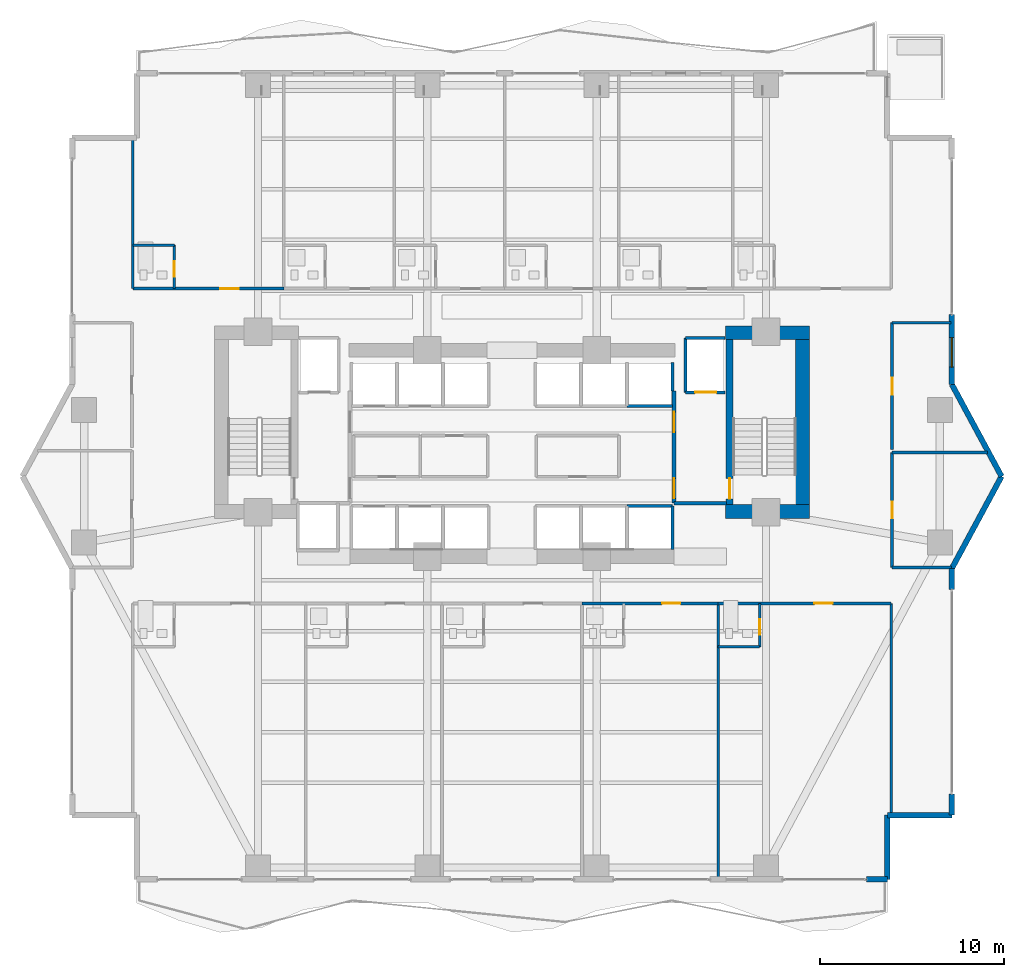
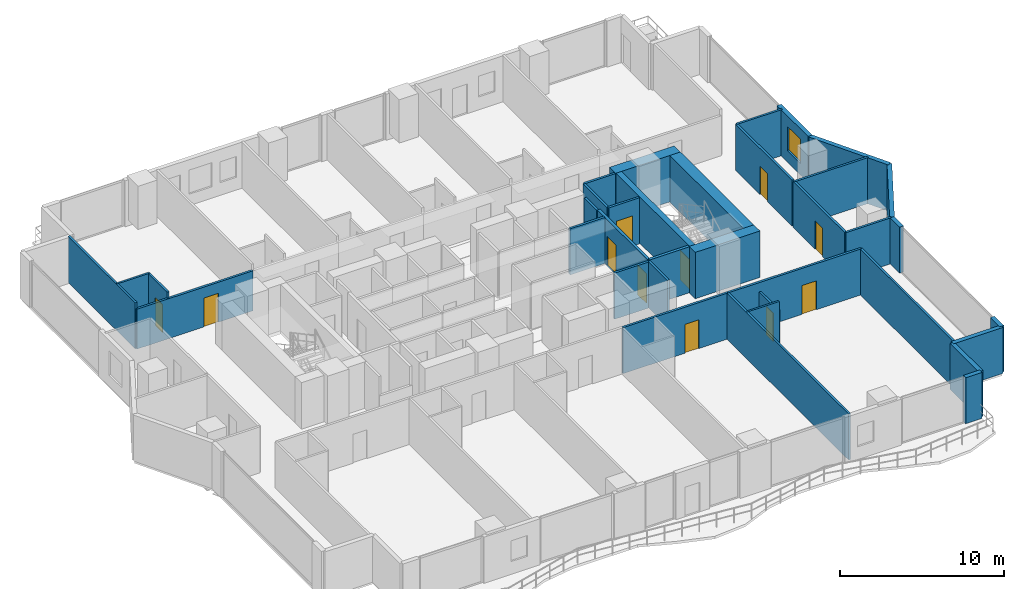
# One storey, part 23 of 29: 36 walls, 11 doors, 1 window, 12 openings.
"""IFC4 building model written with IfcOpenShell, lengths in metres."""

from ifc_helpers import new_model, si_unit, direction, frame, frame_2d, origin, place, context, subcontext, project, spatial, rectangle, extrude, material, layer, layer_set, type_object, element, fill, save


model = new_model("IFC4")

# Units and contexts
model_context = context("Model", 3, precision=1e-05, world=origin(), true_north=direction((0.0, 1.0)))
body_context = subcontext(model_context, "Body", "Model", "MODEL_VIEW")
ifc_project = project(units=[si_unit("LENGTHUNIT", "METRE"), si_unit("AREAUNIT", "SQUARE_METRE"), si_unit("VOLUMEUNIT", "CUBIC_METRE"), si_unit("PLANEANGLEUNIT", "RADIAN"), si_unit("MASSUNIT", "GRAM", prefix="KILO")], contexts=[model_context])

# Site, building, storey
site_placement = place(None, origin())
site = spatial("IfcSite", under=ifc_project, at=site_placement, CompositionType="ELEMENT")
building_placement = place(site_placement, origin())
building = spatial("IfcBuilding", under=site, at=building_placement, Name="Zuhayl Quay Hotel", CompositionType="ELEMENT")
storey_placement = place(building_placement, frame((0.0, 0.0, 95.64990234375)))
storey = spatial("IfcBuildingStorey", under=building, at=storey_placement, Name="L23", CompositionType="ELEMENT", Elevation=95.64990234375)

# Walls
ifc_material_1 = material(Name="Concrete C60/75", Category="concrete")
ifc_layer_1 = layer(ifc_material_1, 0.75, Name="Concrete C60/75", Category="concrete")
ifc_layer_set_1 = layer_set([ifc_layer_1], Name="Concrete C60/75")
wall_type_1 = type_object("IfcWallType", Name="WL_CORE_750", PredefinedType="SHEAR", material=ifc_layer_set_1)
wall_1_placement = place(storey_placement, frame((11.60009765625, 14.304931640625, 0.0), z_axis=(0.0, 0.0, 1.0), x_axis=(1.0, 0.0, 0.0)))
element("IfcWall", 1, at=wall_1_placement, inside=storey, type_object=wall_type_1, Name="L23 Core Shear Wall CW_NE", PredefinedType="SHEAR", context=body_context, shape_type="SweptSolid", body=[
    extrude(rectangle(XDim=4.559814453125, YDim=0.75, at=frame_2d((2.27978515625, 0.0))), origin(), (0.0, 0.0, 1.0), 3.460205078125),
])
wall_2_placement = place(storey_placement, frame((15.784912109375, 4.969970703125, 0.0), z_axis=(0.0, 0.0, 1.0), x_axis=(0.0, 1.0, 0.0)))
element("IfcWall", 2, at=wall_2_placement, inside=storey, type_object=wall_type_1, Name="L23 Core Shear Wall CW_E", PredefinedType="SHEAR", context=body_context, shape_type="SweptSolid", body=[
    extrude(rectangle(XDim=8.9599609375, YDim=0.75, at=frame_2d((4.47998046875, 0.0))), origin(), (0.0, 0.0, 1.0), 3.460205078125),
])
wall_3_placement = place(storey_placement, frame((11.60009765625, 4.594970703125, 0.0), z_axis=(0.0, 0.0, 1.0), x_axis=(1.0, 0.0, 0.0)))
element("IfcWall", 3, at=wall_3_placement, inside=storey, type_object=wall_type_1, Name="L23 Core Shear Wall CW_SE", PredefinedType="SHEAR", context=body_context, shape_type="SweptSolid", body=[
    extrude(rectangle(XDim=4.559814453125, YDim=0.75, at=frame_2d((2.27978515625, 0.0))), origin(), (0.0, 0.0, 1.0), 3.460205078125),
])

# Wall, opening, window
ifc_material_2 = material(Name="Precast concrete C45/55", Category="concrete")
ifc_layer_2 = layer(ifc_material_2, 0.300048828125, Name="Precast concrete C45/55", Category="concrete")
ifc_layer_set_2 = layer_set([ifc_layer_2], Name="Precast concrete C45/55")
wall_type_2 = type_object("IfcWallType", Name="WL_EXT_300", PredefinedType="STANDARD", material=ifc_layer_set_2)
wall_4_placement = place(storey_placement, frame((23.89990234375, 15.300048828125, 0.0), z_axis=(0.0, 0.0, 1.0), x_axis=(0.0, -1.0, 0.0)))
wall_4 = element("IfcWall", 4, at=wall_4_placement, inside=storey, type_object=wall_type_2, Name="L23 Exterior Precast Wall ENV_L23_E11_EW2", PredefinedType="STANDARD", context=body_context, shape_type="SweptSolid", body=[
    extrude(rectangle(XDim=3.800048828125, YDim=0.300048828125, at=frame_2d((1.89990234375, 0.0))), origin(), (0.0, 0.0, 1.0), 3.43017578125),
])
opening_1_placement = place(wall_4_placement, frame((1.264892578125, 0.0, 0.85009765625)))
opening_1 = element("IfcOpeningElement", 5, at=opening_1_placement, cuts=wall_4, Name="Opening W01", PredefinedType="OPENING", context=body_context, shape_type="SweptSolid", body=[
    extrude(rectangle(XDim=1.60009765625, YDim=1.800048828125, at=frame_2d((0.800048828125, 0.89990234375))), frame((0.0, 0.159912109375, 0.0), z_axis=(0.0, -1.0, 0.0), x_axis=(1.0, 0.0, 0.0)), (0.0, 0.0, 1.0), 0.320068359375),
])
ifc_material_3 = material(Name="Dark Ceramic-Fritted Solar Glass", Category="glass")
window_type = type_object("IfcWindowType", Name="WN_OPERABLE_1600", PartitioningType="DOUBLE_PANEL_VERTICAL", PredefinedType="WINDOW", material=ifc_material_3)
window_placement = place(opening_1_placement, origin())
window = element("IfcWindow", 6, at=window_placement, inside=storey, type_object=window_type, Name="L23 Operable Facade Window 2-1", OverallHeight=1.800048828125, OverallWidth=1.60009765625, PartitioningType="SINGLE_PANEL", PredefinedType="WINDOW", context=body_context, shape_type="SweptSolid", body=[
    extrude(rectangle(XDim=1.60009765625, YDim=1.800048828125, at=frame_2d((0.800048828125, 0.89990234375))), frame((0.0, 0.030029296875, 0.0), z_axis=(0.0, -1.0, 0.0), x_axis=(1.0, 0.0, 0.0)), (0.0, 0.0, 1.0), 0.06005859375),
])
fill(opening_1, window)

# Walls
for number, where, z_axis, x_axis, name in (
    (7, (23.89990234375, 11.5, 0.0), (0.0, 0.0, 1.0), (0.475175525499, -0.879891027325, 0.0), "L23 Exterior Precast Wall ENV_L23_EW12"),
    (8, (26.60009765625, 6.5, 0.0), (0.0, 0.0, 1.0), (-0.475175525499, -0.879891027325, 0.0), "L23 Exterior Precast Wall ENV_L23_EW13"),
):
    element("IfcWall", number, at=place(storey_placement, frame(where, z_axis=z_axis, x_axis=x_axis)), inside=storey, type_object=wall_type_2, Name=name, PredefinedType="STANDARD", context=body_context, shape_type="SweptSolid", body=[
        extrude(rectangle(XDim=5.6826171875, YDim=0.300048828125, at=frame_2d((2.84130859375, 0.0))), origin(), (0.0, 0.0, 1.0), 3.43017578125),
    ])
for number, where, z_axis, x_axis, name in (
    (9, (23.89990234375, 1.5, 0.0), (0.0, 0.0, 1.0), (0.0, -1.0, 0.0), "L23 Exterior Precast Wall ENV_L23_E14_EW1"),
    (10, (23.89990234375, -10.75, 0.0), (0.0, 0.0, 1.0), (0.0, -1.0, 0.0), "L23 Exterior Precast Wall ENV_L23_E14_EW2"),
):
    element("IfcWall", number, at=place(storey_placement, frame(where, z_axis=z_axis, x_axis=x_axis)), inside=storey, type_object=wall_type_2, Name=name, PredefinedType="STANDARD", context=body_context, shape_type="SweptSolid", body=[
        extrude(rectangle(XDim=1.14990234375, YDim=0.300048828125, at=frame_2d((0.574951171875, 0.0))), origin(), (0.0, 0.0, 1.0), 3.43017578125),
    ])
for number, where, z_axis, x_axis, name in (
    (11, (23.89990234375, -11.89990234375, 0.0), (0.0, 0.0, 1.0), (-1.0, 0.0, 0.0), "L23 Exterior Precast Wall ENV_L23_EW15"),
    (12, (20.39990234375, -11.89990234375, 0.0), (0.0, 0.0, 1.0), (0.0, -1.0, 0.0), "L23 Exterior Precast Wall ENV_L23_EW16"),
):
    element("IfcWall", number, at=place(storey_placement, frame(where, z_axis=z_axis, x_axis=x_axis)), inside=storey, type_object=wall_type_2, Name=name, PredefinedType="STANDARD", context=body_context, shape_type="SweptSolid", body=[
        extrude(rectangle(XDim=3.5, YDim=0.300048828125, at=frame_2d((1.75, 0.0))), origin(), (0.0, 0.0, 1.0), 3.43017578125),
    ])
wall_5_placement = place(storey_placement, frame((20.39990234375, -15.39990234375, 0.0), z_axis=(0.0, 0.0, 1.0), x_axis=(-1.0, 0.0, 0.0)))
element("IfcWall", 13, at=wall_5_placement, inside=storey, type_object=wall_type_2, Name="L23 Exterior Precast Wall ENV_L23_S_EW1", PredefinedType="STANDARD", context=body_context, shape_type="SweptSolid", body=[
    extrude(rectangle(XDim=1.14990234375, YDim=0.300048828125, at=frame_2d((0.574951171875, 0.0))), origin(), (0.0, 0.0, 1.0), 3.43017578125),
])
ifc_material_4 = material(Name="Acoustic Gypsum Partition STC-58")
ifc_layer_3 = layer(ifc_material_4, 0.14990234375, Name="Acoustic Gypsum Partition STC-58")
ifc_layer_set_3 = layer_set([ifc_layer_3], Name="Acoustic Gypsum Partition STC-58")
wall_type_3 = type_object("IfcWallType", Name="WL_PART_150", PredefinedType="PARTITIONING", material=ifc_layer_set_3)
wall_6_placement = place(storey_placement, frame((-20.60009765625, 16.699951171875, 0.0), z_axis=(0.0, 0.0, 1.0), x_axis=(0.0, 1.0, 0.0)))
element("IfcWall", 14, at=wall_6_placement, inside=storey, type_object=wall_type_3, Name="L23 Partition IW_L23_NU01_W", PredefinedType="PARTITIONING", context=body_context, shape_type="SweptSolid", body=[
    extrude(rectangle(XDim=8.199951171875, YDim=0.14990234375, at=frame_2d((4.10009765625, 0.0))), origin(), (0.0, 0.0, 1.0), 3.43017578125),
])
wall_7_placement = place(storey_placement, frame((11.199951171875, -15.320068359375, 0.0), z_axis=(0.0, 0.0, 1.0), x_axis=(0.0, 1.0, 0.0)))
element("IfcWall", 15, at=wall_7_placement, inside=storey, type_object=wall_type_3, Name="L23 Partition IW_L23_SU04_E", PredefinedType="PARTITIONING", context=body_context, shape_type="SweptSolid", body=[
    extrude(rectangle(XDim=14.920166015625, YDim=0.14990234375, at=frame_2d((7.4599609375, 0.0))), origin(), (0.0, 0.0, 1.0), 3.43017578125),
])
wall_8_placement = place(storey_placement, frame((20.60009765625, -11.89990234375, 0.0), z_axis=(0.0, 0.0, 1.0), x_axis=(0.0, 1.0, 0.0)))
element("IfcWall", 16, at=wall_8_placement, inside=storey, type_object=wall_type_3, Name="L23 Partition IW_L23_SU05_E", PredefinedType="PARTITIONING", context=body_context, shape_type="SweptSolid", body=[
    extrude(rectangle(XDim=11.5, YDim=0.14990234375, at=frame_2d((5.75, 0.0))), origin(), (0.0, 0.0, 1.0), 3.43017578125),
])
wall_9_placement = place(storey_placement, frame((20.64990234375, 1.550048828125, 0.0), z_axis=(0.0, 0.0, 1.0), x_axis=(1.0, 0.0, 0.0)))
element("IfcWall", 17, at=wall_9_placement, inside=storey, type_object=wall_type_3, Name="L23 Partition IW_L23_HK_MAIN_S", PredefinedType="PARTITIONING", context=body_context, shape_type="SweptSolid", body=[
    extrude(rectangle(XDim=3.217041015625, YDim=0.14990234375, at=frame_2d((1.6083984375, 0.0))), origin(), (0.0, 0.0, 1.0), 3.43017578125),
])
wall_10_placement = place(storey_placement, frame((20.64990234375, 7.800048828125, 0.0), z_axis=(0.0, 0.0, 1.0), x_axis=(1.0, 0.0, 0.0)))
element("IfcWall", 18, at=wall_10_placement, inside=storey, type_object=wall_type_3, Name="L23 Partition IW_L23_HK_MAIN_N", PredefinedType="PARTITIONING", context=body_context, shape_type="SweptSolid", body=[
    extrude(rectangle(XDim=5.18798828125, YDim=0.14990234375, at=frame_2d((2.593994140625, 0.0))), origin(), (0.0, 0.0, 1.0), 3.43017578125),
])
wall_11_placement = place(storey_placement, frame((20.64990234375, 14.85009765625, 0.0), z_axis=(0.0, 0.0, 1.0), x_axis=(1.0, 0.0, 0.0)))
element("IfcWall", 19, at=wall_11_placement, inside=storey, type_object=wall_type_3, Name="L23 Partition IW_L23_EFLK_2_N", PredefinedType="PARTITIONING", context=body_context, shape_type="SweptSolid", body=[
    extrude(rectangle(XDim=3.190185546875, YDim=0.14990234375, at=frame_2d((1.59521484375, 0.0))), origin(), (0.0, 0.0, 1.0), 3.43017578125),
])

# Wall, opening, door
ifc_layer_4 = layer(ifc_material_4, 0.159912109375, Name="Acoustic Gypsum Partition STC-58")
ifc_layer_set_4 = layer_set([ifc_layer_4], Name="Acoustic Gypsum Partition STC-58")
wall_type_4 = type_object("IfcWallType", Name="WL_PART_CORR_160", PredefinedType="PARTITIONING", material=ifc_layer_set_4)
wall_12_placement = place(storey_placement, frame((-20.60009765625, 16.699951171875, 0.0), z_axis=(0.0, 0.0, 1.0), x_axis=(1.0, 0.0, 0.0)))
wall_12 = element("IfcWall", 20, at=wall_12_placement, inside=storey, type_object=wall_type_4, Name="L23 Partition IW_L23_NU01_COR", PredefinedType="PARTITIONING", context=body_context, shape_type="SweptSolid", body=[
    extrude(rectangle(XDim=8.2001953125, YDim=0.159912109375, at=frame_2d((4.10009765625, 0.0))), origin(), (0.0, 0.0, 1.0), 2.97314453125),
])
opening_2_placement = place(wall_12_placement, frame((4.75, 0.0, 0.0)))
opening_2 = element("IfcOpeningElement", 21, at=opening_2_placement, cuts=wall_12, Name="Opening D03L", PredefinedType="OPENING", context=body_context, shape_type="SweptSolid", body=[
    extrude(rectangle(XDim=1.0, YDim=2.14990234375, at=frame_2d((0.5, 1.074951171875))), frame((0.0, 0.08984375, 0.0), z_axis=(0.0, -1.0, 0.0), x_axis=(1.0, 0.0, 0.0)), (0.0, 0.0, 1.0), 0.179931640625),
])
ifc_material_5 = material(Name="Solid Walnut Acoustic Fire Door")
door_type_1 = type_object("IfcDoorType", Name="DR_SUITE_1000", OperationType="NOTDEFINED", PredefinedType="DOOR", material=ifc_material_5)
door_1_placement = place(opening_2_placement, origin())
door_1 = element("IfcDoor", 22, at=door_1_placement, inside=storey, type_object=door_type_1, Name="L23 Executive Suite L23-01 Entrance Door", OperationType="SINGLE_SWING_LEFT", OverallHeight=2.14990234375, OverallWidth=1.0, PredefinedType="DOOR", context=body_context, shape_type="SweptSolid", body=[
    extrude(rectangle(XDim=1.0, YDim=2.14990234375, at=frame_2d((0.5, 1.074951171875))), frame((0.0, 0.02490234375, 0.0), z_axis=(0.0, -1.0, 0.0), x_axis=(1.0, 0.0, 0.0)), (0.0, 0.0, 1.0), 0.050048828125),
])
fill(opening_2, door_1)

wall_13_placement = place(storey_placement, frame((3.800048828125, -0.39990234375, 0.0), z_axis=(0.0, 0.0, 1.0), x_axis=(1.0, 0.0, 0.0)))
wall_13 = element("IfcWall", 23, at=wall_13_placement, inside=storey, type_object=wall_type_4, Name="L23 Partition IW_L23_SU04_COR", PredefinedType="PARTITIONING", context=body_context, shape_type="SweptSolid", body=[
    extrude(rectangle(XDim=7.39990234375, YDim=0.159912109375, at=frame_2d((3.699951171875, 0.0))), origin(), (0.0, 0.0, 1.0), 3.43017578125),
])
opening_3_placement = place(wall_13_placement, frame((4.35009765625, 0.0, 0.0)))
opening_3 = element("IfcOpeningElement", 24, at=opening_3_placement, cuts=wall_13, Name="Opening D03L", PredefinedType="OPENING", context=body_context, shape_type="SweptSolid", body=[
    extrude(rectangle(XDim=1.0, YDim=2.14990234375, at=frame_2d((0.5, 1.074951171875))), frame((0.0, 0.08984375, 0.0), z_axis=(0.0, -1.0, 0.0), x_axis=(1.0, 0.0, 0.0)), (0.0, 0.0, 1.0), 0.179931640625),
])
door_2_placement = place(opening_3_placement, origin())
door_2 = element("IfcDoor", 25, at=door_2_placement, inside=storey, type_object=door_type_1, Name="L23 City-View Junior Suite L23-04 Entrance Door", OperationType="SINGLE_SWING_LEFT", OverallHeight=2.14990234375, OverallWidth=1.0, PredefinedType="DOOR", context=body_context, shape_type="SweptSolid", body=[
    extrude(rectangle(XDim=1.0, YDim=2.14990234375, at=frame_2d((0.5, 1.074951171875))), frame((0.0, 0.02490234375, 0.0), z_axis=(0.0, -1.0, 0.0), x_axis=(1.0, 0.0, 0.0)), (0.0, 0.0, 1.0), 0.050048828125),
])
fill(opening_3, door_2)

wall_14_placement = place(storey_placement, frame((11.199951171875, -0.39990234375, 0.0), z_axis=(0.0, 0.0, 1.0), x_axis=(1.0, 0.0, 0.0)))
wall_14 = element("IfcWall", 26, at=wall_14_placement, inside=storey, type_object=wall_type_4, Name="L23 Partition IW_L23_SU05_COR", PredefinedType="PARTITIONING", context=body_context, shape_type="SweptSolid", body=[
    extrude(rectangle(XDim=9.400146484375, YDim=0.159912109375, at=frame_2d((4.7001953125, 0.0))), origin(), (0.0, 0.0, 1.0), 3.43017578125),
])
opening_4_placement = place(wall_14_placement, frame((5.22509765625, 0.0, 0.0)))
opening_4 = element("IfcOpeningElement", 27, at=opening_4_placement, cuts=wall_14, Name="Opening D03L", PredefinedType="OPENING", context=body_context, shape_type="SweptSolid", body=[
    extrude(rectangle(XDim=1.0, YDim=2.14990234375, at=frame_2d((0.5, 1.074951171875))), frame((0.0, 0.08984375, 0.0), z_axis=(0.0, -1.0, 0.0), x_axis=(1.0, 0.0, 0.0)), (0.0, 0.0, 1.0), 0.179931640625),
])
door_3_placement = place(opening_4_placement, origin())
door_3 = element("IfcDoor", 28, at=door_3_placement, inside=storey, type_object=door_type_1, Name="L23 City-View Junior Suite L23-05 Entrance Door", OperationType="SINGLE_SWING_LEFT", OverallHeight=2.14990234375, OverallWidth=1.0, PredefinedType="DOOR", context=body_context, shape_type="SweptSolid", body=[
    extrude(rectangle(XDim=1.0, YDim=2.14990234375, at=frame_2d((0.5, 1.074951171875))), frame((0.0, 0.02490234375, 0.0), z_axis=(0.0, -1.0, 0.0), x_axis=(1.0, 0.0, 0.0)), (0.0, 0.0, 1.0), 0.050048828125),
])
fill(opening_4, door_3)

wall_15_placement = place(storey_placement, frame((20.64990234375, 1.550048828125, 0.0), z_axis=(0.0, 0.0, 1.0), x_axis=(0.0, 1.0, 0.0)))
wall_15 = element("IfcWall", 29, at=wall_15_placement, inside=storey, type_object=wall_type_4, Name="L23 Partition IW_L23_HK_MAIN_W", PredefinedType="PARTITIONING", context=body_context, shape_type="SweptSolid", body=[
    extrude(rectangle(XDim=6.25, YDim=0.159912109375, at=frame_2d((3.125, 0.0))), origin(), (0.0, 0.0, 1.0), 3.43017578125),
])
opening_5_placement = place(wall_15_placement, frame((2.6650390625, 0.0, 0.0)))
opening_5 = element("IfcOpeningElement", 30, at=opening_5_placement, cuts=wall_15, Name="Opening D05", PredefinedType="OPENING", context=body_context, shape_type="SweptSolid", body=[
    extrude(rectangle(XDim=0.919921875, YDim=2.1201171875, at=frame_2d((0.4599609375, 1.06005859375))), frame((0.0, 0.08984375, 0.0), z_axis=(0.0, -1.0, 0.0), x_axis=(1.0, 0.0, 0.0)), (0.0, 0.0, 1.0), 0.179931640625),
])
door_type_2 = type_object("IfcDoorType", Name="DR_INT_950", OperationType="NOTDEFINED", PredefinedType="DOOR", material=ifc_material_5)
door_4_placement = place(opening_5_placement, origin())
door_4 = element("IfcDoor", 31, at=door_4_placement, inside=storey, type_object=door_type_2, Name="L23 Housekeeping and Linen Room Door", OperationType="SINGLE_SWING_RIGHT", OverallHeight=2.1201171875, OverallWidth=0.919921875, PredefinedType="DOOR", context=body_context, shape_type="SweptSolid", body=[
    extrude(rectangle(XDim=0.919921875, YDim=2.1201171875, at=frame_2d((0.4599609375, 1.06005859375))), frame((0.0, 0.02490234375, 0.0), z_axis=(0.0, -1.0, 0.0), x_axis=(1.0, 0.0, 0.0)), (0.0, 0.0, 1.0), 0.050048828125),
])
fill(opening_5, door_4)

wall_16_placement = place(storey_placement, frame((20.64990234375, 7.9599609375, 0.0), z_axis=(0.0, 0.0, 1.0), x_axis=(0.0, 1.0, 0.0)))
wall_16 = element("IfcWall", 32, at=wall_16_placement, inside=storey, type_object=wall_type_4, Name="L23 Partition IW_L23_EFLK_2_W", PredefinedType="PARTITIONING", context=body_context, shape_type="SweptSolid", body=[
    extrude(rectangle(XDim=6.89013671875, YDim=0.159912109375, at=frame_2d((3.445068359375, 0.0))), origin(), (0.0, 0.0, 1.0), 3.43017578125),
])
opening_6_placement = place(wall_16_placement, frame((2.985107421875, 0.0, 0.0)))
opening_6 = element("IfcOpeningElement", 33, at=opening_6_placement, cuts=wall_16, Name="Opening D05", PredefinedType="OPENING", context=body_context, shape_type="SweptSolid", body=[
    extrude(rectangle(XDim=0.919921875, YDim=2.1201171875, at=frame_2d((0.4599609375, 1.06005859375))), frame((0.0, 0.08984375, 0.0), z_axis=(0.0, -1.0, 0.0), x_axis=(1.0, 0.0, 0.0)), (0.0, 0.0, 1.0), 0.179931640625),
])
door_5_placement = place(opening_6_placement, origin())
door_5 = element("IfcDoor", 34, at=door_5_placement, inside=storey, type_object=door_type_2, Name="L23 Floor Beverage and Ice Pantry Door", OperationType="SINGLE_SWING_LEFT", OverallHeight=2.1201171875, OverallWidth=0.919921875, PredefinedType="DOOR", context=body_context, shape_type="SweptSolid", body=[
    extrude(rectangle(XDim=0.919921875, YDim=2.1201171875, at=frame_2d((0.4599609375, 1.06005859375))), frame((0.0, 0.02490234375, 0.0), z_axis=(0.0, -1.0, 0.0), x_axis=(1.0, 0.0, 0.0)), (0.0, 0.0, 1.0), 0.050048828125),
])
fill(opening_6, door_5)

ifc_material_6 = material(Name="Moisture-Resistant Sanitarychase Gypsum")
ifc_layer_5 = layer(ifc_material_6, 0.135009765625, Name="Moisture-Resistant Sanitarychase Gypsum")
ifc_layer_set_5 = layer_set([ifc_layer_5], Name="Moisture-Resistant Sanitarychase Gypsum")
wall_type_5 = type_object("IfcWallType", Name="WL_PART_PLUMB_150", PredefinedType="PLUMBINGWALL", material=ifc_layer_set_5)
wall_17_placement = place(storey_placement, frame((-18.340087890625, 16.699951171875, 0.0), z_axis=(0.0, 0.0, 1.0), x_axis=(0.0, 1.0, 0.0)))
wall_17 = element("IfcWall", 35, at=wall_17_placement, inside=storey, type_object=wall_type_5, Name="L23 Partition IW_L23_NU01_BE", PredefinedType="PLUMBINGWALL", context=body_context, shape_type="SweptSolid", body=[
    extrude(rectangle(XDim=2.360107421875, YDim=0.135009765625, at=frame_2d((1.18017578125, 0.0))), origin(), (0.0, 0.0, 1.0), 3.43017578125),
])
opening_7_placement = place(wall_17_placement, frame((0.64990234375, 0.0, 0.0)))
opening_7 = element("IfcOpeningElement", 36, at=opening_7_placement, cuts=wall_17, Name="Opening D04", PredefinedType="OPENING", context=body_context, shape_type="SweptSolid", body=[
    extrude(rectangle(XDim=0.85009765625, YDim=2.10009765625, at=frame_2d((0.425048828125, 1.050048828125))), frame((0.0, 0.077392578125, 0.0), z_axis=(0.0, -1.0, 0.0), x_axis=(1.0, 0.0, 0.0)), (0.0, 0.0, 1.0), 0.155029296875),
])
ifc_material_7 = material(Name="Moisture-Resistant Walnut Veneer")
door_type_3 = type_object("IfcDoorType", Name="DR_BATH_850", OperationType="NOTDEFINED", PredefinedType="DOOR", material=ifc_material_7)
door_6_placement = place(opening_7_placement, origin())
door_6 = element("IfcDoor", 37, at=door_6_placement, inside=storey, type_object=door_type_3, Name="L23 Executive Suite L23-01 En-Suite Door", OperationType="SINGLE_SWING_RIGHT", OverallHeight=2.10009765625, OverallWidth=0.85009765625, PredefinedType="DOOR", context=body_context, shape_type="SweptSolid", body=[
    extrude(rectangle(XDim=0.85009765625, YDim=2.10009765625, at=frame_2d((0.425048828125, 1.050048828125))), frame((0.0, 0.02490234375, 0.0), z_axis=(0.0, -1.0, 0.0), x_axis=(1.0, 0.0, 0.0)), (0.0, 0.0, 1.0), 0.050048828125),
])
fill(opening_7, door_6)

wall_18_placement = place(storey_placement, frame((13.4599609375, -2.760009765625, 0.0), z_axis=(0.0, 0.0, 1.0), x_axis=(0.0, 1.0, 0.0)))
wall_18 = element("IfcWall", 38, at=wall_18_placement, inside=storey, type_object=wall_type_5, Name="L23 Partition IW_L23_SU05_BE", PredefinedType="PLUMBINGWALL", context=body_context, shape_type="SweptSolid", body=[
    extrude(rectangle(XDim=2.360107421875, YDim=0.135009765625, at=frame_2d((1.18017578125, 0.0))), origin(), (0.0, 0.0, 1.0), 2.7470703125),
])
opening_8_placement = place(wall_18_placement, frame((0.64990234375, 0.0, 0.0)))
opening_8 = element("IfcOpeningElement", 39, at=opening_8_placement, cuts=wall_18, Name="Opening D04", PredefinedType="OPENING", context=body_context, shape_type="SweptSolid", body=[
    extrude(rectangle(XDim=0.85009765625, YDim=2.10009765625, at=frame_2d((0.425048828125, 1.050048828125))), frame((0.0, 0.077392578125, 0.0), z_axis=(0.0, -1.0, 0.0), x_axis=(1.0, 0.0, 0.0)), (0.0, 0.0, 1.0), 0.155029296875),
])
door_7_placement = place(opening_8_placement, origin())
door_7 = element("IfcDoor", 40, at=door_7_placement, inside=storey, type_object=door_type_3, Name="L23 City-View Junior Suite L23-05 En-Suite Door", OperationType="SINGLE_SWING_RIGHT", OverallHeight=2.10009765625, OverallWidth=0.85009765625, PredefinedType="DOOR", context=body_context, shape_type="SweptSolid", body=[
    extrude(rectangle(XDim=0.85009765625, YDim=2.10009765625, at=frame_2d((0.425048828125, 1.050048828125))), frame((0.0, 0.02490234375, 0.0), z_axis=(0.0, -1.0, 0.0), x_axis=(1.0, 0.0, 0.0)), (0.0, 0.0, 1.0), 0.050048828125),
])
fill(opening_8, door_7)

# Walls
for number, where, z_axis, x_axis, name in (
    (41, (-20.60009765625, 19.06005859375, 0.0), (0.0, 0.0, 1.0), (1.0, 0.0, 0.0), "L23 Partition IW_L23_NU01_BN"),
    (42, (11.199951171875, -2.760009765625, 0.0), (0.0, 0.0, 1.0), (1.0, 0.0, 0.0), "L23 Partition IW_L23_SU05_BS"),
):
    element("IfcWall", number, at=place(storey_placement, frame(where, z_axis=z_axis, x_axis=x_axis)), inside=storey, type_object=wall_type_5, Name=name, PredefinedType="PLUMBINGWALL", context=body_context, shape_type="SweptSolid", body=[
        extrude(rectangle(XDim=2.260009765625, YDim=0.135009765625, at=frame_2d((1.1298828125, 0.0))), origin(), (0.0, 0.0, 1.0), 3.43017578125),
    ])

# Wall, opening, door
ifc_material_8 = material(Name="Gypsum Fireboard Assembly EI-90")
ifc_layer_6 = layer(ifc_material_8, 0.1650390625, Name="Gypsum Fireboard Assembly EI-90")
ifc_layer_set_6 = layer_set([ifc_layer_6], Name="Gypsum Fireboard Assembly EI-90")
wall_type_6 = type_object("IfcWallType", Name="WL_PART_SHAFT_160", PredefinedType="PARTITIONING", material=ifc_layer_set_6)
wall_19_placement = place(storey_placement, frame((9.419921875, 11.070068359375, 0.0), z_axis=(0.0, 0.0, 1.0), x_axis=(1.0, 0.0, 0.0)))
wall_19 = element("IfcWall", 43, at=wall_19_placement, inside=storey, type_object=wall_type_6, Name="L23 Partition IW_L23_SH_FL2_F", PredefinedType="PARTITIONING", context=body_context, shape_type="SweptSolid", body=[
    extrude(rectangle(XDim=2.16015625, YDim=0.1650390625, at=frame_2d((1.080078125, 0.0))), origin(), (0.0, 0.0, 1.0), 3.43017578125),
])
opening_9_placement = place(wall_19_placement, frame((0.530029296875, 0.0, 0.0)))
opening_9 = element("IfcOpeningElement", 44, at=opening_9_placement, cuts=wall_19, Name="Opening LD2", PredefinedType="OPENING", context=body_context, shape_type="SweptSolid", body=[
    extrude(rectangle(XDim=1.14990234375, YDim=2.25, at=frame_2d((0.574951171875, 1.125))), frame((0.0, 0.092529296875, 0.0), z_axis=(0.0, -1.0, 0.0), x_axis=(1.0, 0.0, 0.0)), (0.0, 0.0, 1.0), 0.18505859375),
])
ifc_material_9 = material(Name="Brushed Stainless Steel", Category="steel")
door_type_4 = type_object("IfcDoorType", Name="DR_LIFT_FF_1100", OperationType="SLIDING_TO_LEFT", PredefinedType="DOOR", material=ifc_material_9)
door_8_placement = place(opening_9_placement, origin())
door_8 = element("IfcDoor", 45, at=door_8_placement, inside=storey, type_object=door_type_4, Name="L23 Lift FL2 Sliding Landing Door", OperationType="SLIDING_TO_LEFT", OverallHeight=2.25, OverallWidth=1.14990234375, PredefinedType="DOOR", context=body_context, shape_type="SweptSolid", body=[
    extrude(rectangle(XDim=1.14990234375, YDim=2.25, at=frame_2d((0.574951171875, 1.125))), frame((0.0, 0.02490234375, 0.0), z_axis=(0.0, -1.0, 0.0), x_axis=(1.0, 0.0, 0.0)), (0.0, 0.0, 1.0), 0.050048828125),
])
fill(opening_9, door_8)

# Walls
wall_20_placement = place(storey_placement, frame((9.419921875, 11.070068359375, 0.0), z_axis=(0.0, 0.0, 1.0), x_axis=(0.0, 1.0, 0.0)))
element("IfcWall", 46, at=wall_20_placement, inside=storey, type_object=wall_type_6, Name="L23 Partition IW_L23_SH_FL2_W", PredefinedType="PARTITIONING", context=body_context, shape_type="SweptSolid", body=[
    extrude(rectangle(XDim=2.9599609375, YDim=0.1650390625, at=frame_2d((1.47998046875, 0.0))), origin(), (0.0, 0.0, 1.0), 3.43017578125),
])
wall_21_placement = place(storey_placement, frame((9.419921875, 14.030029296875, 0.0), z_axis=(0.0, 0.0, 1.0), x_axis=(1.0, 0.0, 0.0)))
element("IfcWall", 47, at=wall_21_placement, inside=storey, type_object=wall_type_6, Name="L23 Partition IW_L23_SH_FL2_B", PredefinedType="PARTITIONING", context=body_context, shape_type="SweptSolid", body=[
    extrude(rectangle(XDim=2.16015625, YDim=0.1650390625, at=frame_2d((1.080078125, 0.0))), origin(), (0.0, 0.0, 1.0), 3.43017578125),
])
wall_22_placement = place(storey_placement, frame((6.25, 4.8798828125, 0.0), z_axis=(0.0, 0.0, 1.0), x_axis=(1.0, 0.0, 0.0)))
element("IfcWall", 48, at=wall_22_placement, inside=storey, type_object=wall_type_6, Name="L23 Partition IW_L23_SH_HP2_F", PredefinedType="PARTITIONING", context=body_context, shape_type="SweptSolid", body=[
    extrude(rectangle(XDim=2.47998046875, YDim=0.1650390625, at=frame_2d((1.239990234375, 0.0))), origin(), (0.0, 0.0, 1.0), 3.43017578125),
])
wall_23_placement = place(storey_placement, frame((8.72998046875, 2.52001953125, 0.0), z_axis=(0.0, 0.0, 1.0), x_axis=(0.0, 1.0, 0.0)))
element("IfcWall", 49, at=wall_23_placement, inside=storey, type_object=wall_type_6, Name="L23 Partition IW_L23_SH_HP2_E", PredefinedType="PARTITIONING", context=body_context, shape_type="SweptSolid", body=[
    extrude(rectangle(XDim=2.35986328125, YDim=0.1650390625, at=frame_2d((1.179931640625, 0.0))), origin(), (0.0, 0.0, 1.0), 3.43017578125),
])
wall_24_placement = place(storey_placement, frame((6.25, 10.320068359375, 0.0), z_axis=(0.0, 0.0, 1.0), x_axis=(1.0, 0.0, 0.0)))
element("IfcWall", 50, at=wall_24_placement, inside=storey, type_object=wall_type_6, Name="L23 Partition IW_L23_SH_HP4_F", PredefinedType="PARTITIONING", context=body_context, shape_type="SweptSolid", body=[
    extrude(rectangle(XDim=2.47998046875, YDim=0.1650390625, at=frame_2d((1.239990234375, 0.0))), origin(), (0.0, 0.0, 1.0), 3.43017578125),
])
wall_25_placement = place(storey_placement, frame((8.72998046875, 11.14990234375, 0.0), z_axis=(0.0, 0.0, 1.0), x_axis=(0.0, 1.0, 0.0)))
element("IfcWall", 51, at=wall_25_placement, inside=storey, type_object=wall_type_6, Name="L23 Partition IW_L23_SH_HP4_E", PredefinedType="PARTITIONING", context=body_context, shape_type="SweptSolid", body=[
    extrude(rectangle(XDim=1.530029296875, YDim=0.1650390625, at=frame_2d((0.76513671875, 0.0))), origin(), (0.0, 0.0, 1.0), 3.43017578125),
])

# Wall, openings, doors
ifc_material_10 = material(Name="Gypsum Fireboard Assembly EI-120")
ifc_layer_7 = layer(ifc_material_10, 0.199951171875, Name="Gypsum Fireboard Assembly EI-120")
ifc_layer_set_7 = layer_set([ifc_layer_7], Name="Gypsum Fireboard Assembly EI-120")
wall_type_7 = type_object("IfcWallType", Name="WL_PART_SHAFT_200", PredefinedType="PARTITIONING", material=ifc_layer_set_7)
wall_26_placement = place(storey_placement, frame((8.800048828125, 11.14990234375, 0.0), z_axis=(0.0, 0.0, 1.0), x_axis=(0.0, -1.0, 0.0)))
wall_26 = element("IfcWall", 52, at=wall_26_placement, inside=storey, type_object=wall_type_7, Name="L23 Partition IW_L23_FSAE_E_W", PredefinedType="PARTITIONING", context=body_context, shape_type="SweptSolid", body=[
    extrude(rectangle(XDim=6.099853515625, YDim=0.199951171875, at=frame_2d((3.0498046875, 0.0))), origin(), (0.0, 0.0, 1.0), 3.43017578125),
])
opening_10_placement = place(wall_26_placement, frame((1.14990234375, 0.0, 0.0)))
opening_10 = element("IfcOpeningElement", 53, at=opening_10_placement, cuts=wall_26, Name="Opening D02", PredefinedType="OPENING", context=body_context, shape_type="SweptSolid", body=[
    extrude(rectangle(XDim=1.10009765625, YDim=2.199951171875, at=frame_2d((0.550048828125, 1.10009765625))), frame((0.0, 0.10986328125, 0.0), z_axis=(0.0, -1.0, 0.0), x_axis=(1.0, 0.0, 0.0)), (0.0, 0.0, 1.0), 0.219970703125),
])
opening_11_placement = place(wall_26_placement, frame((4.75, 0.0, 0.0)))
opening_11 = element("IfcOpeningElement", 54, at=opening_11_placement, cuts=wall_26, Name="Opening D02", PredefinedType="OPENING", context=body_context, shape_type="SweptSolid", body=[
    extrude(rectangle(XDim=1.10009765625, YDim=2.199951171875, at=frame_2d((0.550048828125, 1.10009765625))), frame((0.0, 0.10986328125, 0.0), z_axis=(0.0, -1.0, 0.0), x_axis=(1.0, 0.0, 0.0)), (0.0, 0.0, 1.0), 0.219970703125),
])
ifc_material_11 = material(Name="Steel ASTM A992 Grade 50", Category="steel")
door_type_5 = type_object("IfcDoorType", Name="DR_FIRE_90_1100", OperationType="NOTDEFINED", PredefinedType="DOOR", material=ifc_material_11)
door_9_placement = place(opening_10_placement, origin())
door_9 = element("IfcDoor", 55, at=door_9_placement, inside=storey, type_object=door_type_5, Name="L23 FSAE Lobby East North Entry Door", OperationType="SINGLE_SWING_LEFT", OverallHeight=2.199951171875, OverallWidth=1.10009765625, PredefinedType="DOOR", context=body_context, shape_type="SweptSolid", body=[
    extrude(rectangle(XDim=1.10009765625, YDim=2.199951171875, at=frame_2d((0.550048828125, 1.10009765625))), frame((0.0, 0.02490234375, 0.0), z_axis=(0.0, -1.0, 0.0), x_axis=(1.0, 0.0, 0.0)), (0.0, 0.0, 1.0), 0.050048828125),
])
fill(opening_10, door_9)
door_10_placement = place(opening_11_placement, origin())
door_10 = element("IfcDoor", 56, at=door_10_placement, inside=storey, type_object=door_type_5, Name="L23 FSAE Lobby East South Entry Door", OperationType="SINGLE_SWING_RIGHT", OverallHeight=2.199951171875, OverallWidth=1.10009765625, PredefinedType="DOOR", context=body_context, shape_type="SweptSolid", body=[
    extrude(rectangle(XDim=1.10009765625, YDim=2.199951171875, at=frame_2d((0.550048828125, 1.10009765625))), frame((0.0, 0.02490234375, 0.0), z_axis=(0.0, -1.0, 0.0), x_axis=(1.0, 0.0, 0.0)), (0.0, 0.0, 1.0), 0.050048828125),
])
fill(opening_11, door_10)

# Wall
wall_27_placement = place(storey_placement, frame((8.800048828125, 5.050048828125, 0.0), z_axis=(0.0, 0.0, 1.0), x_axis=(1.0, 0.0, 0.0)))
element("IfcWall", 57, at=wall_27_placement, inside=storey, type_object=wall_type_7, Name="L23 Partition IW_L23_FSAE_E_S", PredefinedType="PARTITIONING", context=body_context, shape_type="SweptSolid", body=[
    extrude(rectangle(XDim=2.849853515625, YDim=0.199951171875, at=frame_2d((1.4248046875, 0.0))), origin(), (0.0, 0.0, 1.0), 3.43017578125),
])

# Wall, opening, door
ifc_layer_8 = layer(ifc_material_1, 0.39990234375, Name="Concrete C60/75", Category="concrete")
ifc_layer_set_8 = layer_set([ifc_layer_8], Name="Concrete C60/75")
wall_type_8 = type_object("IfcWallType", Name="WL_STAIR_400", PredefinedType="SHEAR", material=ifc_layer_set_8)
wall_28_placement = place(storey_placement, frame((11.820068359375, 13.929931640625, 0.0), z_axis=(0.0, 0.0, 1.0), x_axis=(0.0, -1.0, 0.0)))
wall_28 = element("IfcWall", 58, at=wall_28_placement, inside=storey, type_object=wall_type_8, Name="L23 Core Shear Wall SW_ST2", PredefinedType="SHEAR", context=body_context, shape_type="SweptSolid", body=[
    extrude(rectangle(XDim=8.9599609375, YDim=0.39990234375, at=frame_2d((4.47998046875, 0.0))), origin(), (0.0, 0.0, 1.0), 3.460205078125),
])
opening_12_placement = place(wall_28_placement, frame((7.530029296875, 0.0, 0.0)))
opening_12 = element("IfcOpeningElement", 59, at=opening_12_placement, cuts=wall_28, Name="Opening D01", PredefinedType="OPENING", context=body_context, shape_type="SweptSolid", body=[
    extrude(rectangle(XDim=1.1201171875, YDim=2.219970703125, at=frame_2d((0.56005859375, 1.10986328125))), frame((0.0, 0.2099609375, 0.0), z_axis=(0.0, -1.0, 0.0), x_axis=(1.0, 0.0, 0.0)), (0.0, 0.0, 1.0), 0.419921875),
])
door_type_6 = type_object("IfcDoorType", Name="DR_STAIR_90_1100", OperationType="NOTDEFINED", PredefinedType="DOOR", material=ifc_material_11)
door_11_placement = place(opening_12_placement, origin())
door_11 = element("IfcDoor", 60, at=door_11_placement, inside=storey, type_object=door_type_6, Name="L23 Smokeproof Exit Stair ST2 Door", OperationType="SINGLE_SWING_RIGHT", OverallHeight=2.219970703125, OverallWidth=1.1201171875, PredefinedType="DOOR", context=body_context, shape_type="SweptSolid", body=[
    extrude(rectangle(XDim=1.1201171875, YDim=2.219970703125, at=frame_2d((0.56005859375, 1.10986328125))), frame((0.0, 0.02490234375, 0.0), z_axis=(0.0, -1.0, 0.0), x_axis=(1.0, 0.0, 0.0)), (0.0, 0.0, 1.0), 0.050048828125),
])
fill(opening_12, door_11)

save(model, "model.ifc")
